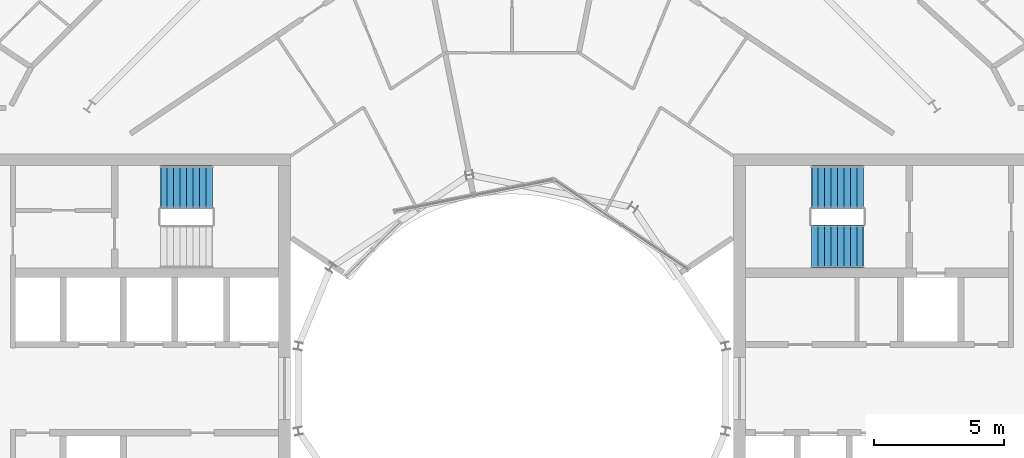
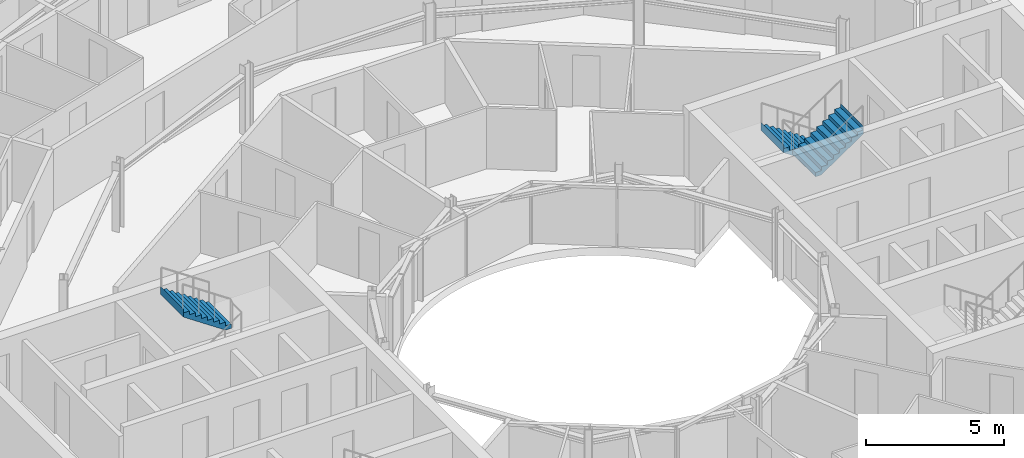
# One storey, part 26 of 27: 3 stair flights, 2 elements without a shape of their own.
"""IFC4 building model written with IfcOpenShell, lengths in metres."""

from ifc_helpers import new_model, si_unit, direction, frame, origin, place, context, subcontext, project, spatial, triangles, material, type_object, element, aggregate, save


model = new_model("IFC4")

# Units and contexts
model_context = context("Model", 3, precision=1e-05, world=origin(), true_north=direction((0.0, 1.0)))
body_context = subcontext(model_context, "Body", "Model", "MODEL_VIEW")
ifc_project = project(units=[si_unit("LENGTHUNIT", "METRE"), si_unit("AREAUNIT", "SQUARE_METRE"), si_unit("VOLUMEUNIT", "CUBIC_METRE"), si_unit("PLANEANGLEUNIT", "RADIAN"), si_unit("MASSUNIT", "GRAM", prefix="KILO")], contexts=[model_context])

# Site, building, storey
site_placement = place(None, origin())
site = spatial("IfcSite", under=ifc_project, at=site_placement, CompositionType="ELEMENT")
building_placement = place(site_placement, origin())
building = spatial("IfcBuilding", under=site, at=building_placement, Name="Maasbend Ring Residences", CompositionType="ELEMENT")
storey_placement = place(building_placement, frame((0.0, 0.0, 199.35009765625)))
storey = spatial("IfcBuildingStorey", under=building, at=storey_placement, Name="L57", CompositionType="ELEMENT", Elevation=199.35009765625)

# Stair, stair flights
ifc_material_1 = material(Name="Concrete C40/50", Category="concrete")
stair_type = type_object("IfcStairType", Name="CORE STAIR 18 RISERS", PredefinedType="HALF_TURN_STAIR", material=ifc_material_1)
stair_1_placement = place(storey_placement, origin())
stair_1 = element("IfcStair", 1, at=stair_1_placement, inside=storey, type_object=stair_type, Name="L57 Exit stair ST-E1", PredefinedType="HALF_TURN_STAIR")
ifc_material_2 = material(Name="Concrete C40/50", Category="concrete")
stair_flight_type = type_object("IfcStairFlightType", Name="CORE STAIR FLIGHT 1650", PredefinedType="STRAIGHT", material=ifc_material_2)
stair_flight_1_placement = place(storey_placement, frame((13.550048828125, 7.77490234375, 0.0), z_axis=(0.0, 0.0, 1.0), x_axis=(-1.0, 0.0, 0.0)))
stair_flight_1 = element("IfcStairFlight", 2, at=stair_flight_1_placement, type_object=stair_flight_type, Name="ST-E1 flight 1", NumberOfRisers=9, NumberOfTreads=8, PredefinedType="STRAIGHT", RiserHeight=0.169444444, TreadLength=0.25, context=body_context, shape_type="Tessellation", body=[
    triangles([(0.24072265625, 0.824951171875, -0.02001953125), (2.0029296875, 0.824951171875, 1.174560546875), (2.0029296875, 0.824951171875, 1.52490234375), (1.989990234375, 0.824951171875, 1.35546875), (1.75, 0.824951171875, 1.35546875), (1.75, 0.824951171875, 1.18603515625), (1.5, 0.824951171875, 1.18603515625), (1.5, 0.824951171875, 1.0166015625), (1.25, 0.824951171875, 1.0166015625), (1.25, 0.824951171875, 0.84716796875), (1.0, 0.824951171875, 0.84716796875), (1.0, 0.824951171875, 0.677734375), (0.75, 0.824951171875, 0.677734375), (0.75, 0.824951171875, 0.50830078125), (0.5, 0.824951171875, 0.50830078125), (0.5, 0.824951171875, 0.3388671875), (0.25, 0.824951171875, 0.3388671875), (0.25, 0.824951171875, 0.16943359375), (0.0, 0.824951171875, 0.16943359375), (0.0, 0.824951171875, 0.0), (-0.0029296875, 0.824951171875, 0.0), (-0.0029296875, 0.824951171875, -0.02001953125), (0.24072265625, 0.27490234375, -0.02001953125), (2.0029296875, 0.27490234375, 1.174560546875), (2.0029296875, 0.27490234375, 1.52490234375), (1.989990234375, 0.27490234375, 1.35546875), (1.75, 0.27490234375, 1.35546875), (1.75, 0.27490234375, 1.18603515625), (1.5, 0.27490234375, 1.18603515625), (1.5, 0.27490234375, 1.0166015625), (1.25, 0.27490234375, 1.0166015625), (1.25, 0.27490234375, 0.84716796875), (1.0, 0.27490234375, 0.84716796875), (1.0, 0.27490234375, 0.677734375), (0.75, 0.27490234375, 0.677734375), (0.75, 0.27490234375, 0.50830078125), (0.5, 0.27490234375, 0.50830078125), (0.5, 0.27490234375, 0.3388671875), (0.25, 0.27490234375, 0.3388671875), (0.25, 0.27490234375, 0.16943359375), (0.0, 0.27490234375, 0.16943359375), (0.0, 0.27490234375, 0.0), (-0.0029296875, 0.27490234375, 0.0), (-0.0029296875, 0.27490234375, -0.02001953125), (0.24072265625, -0.27490234375, -0.02001953125), (2.0029296875, -0.27490234375, 1.174560546875), (2.0029296875, -0.27490234375, 1.52490234375), (1.989990234375, -0.27490234375, 1.35546875), (1.75, -0.27490234375, 1.35546875), (1.75, -0.27490234375, 1.18603515625), (1.5, -0.27490234375, 1.18603515625), (1.5, -0.27490234375, 1.0166015625), (1.25, -0.27490234375, 1.0166015625), (1.25, -0.27490234375, 0.84716796875), (1.0, -0.27490234375, 0.84716796875), (1.0, -0.27490234375, 0.677734375), (0.75, -0.27490234375, 0.677734375), (0.75, -0.27490234375, 0.50830078125), (0.5, -0.27490234375, 0.50830078125), (0.5, -0.27490234375, 0.3388671875), (0.25, -0.27490234375, 0.3388671875), (0.25, -0.27490234375, 0.16943359375), (0.0, -0.27490234375, 0.16943359375), (0.0, -0.27490234375, 0.0), (-0.0029296875, -0.27490234375, 0.0), (-0.0029296875, -0.27490234375, -0.02001953125), (0.24072265625, -0.824951171875, -0.02001953125), (2.0029296875, -0.824951171875, 1.174560546875), (2.0029296875, -0.824951171875, 1.52490234375), (1.989990234375, -0.824951171875, 1.35546875), (1.75, -0.824951171875, 1.35546875), (1.75, -0.824951171875, 1.18603515625), (1.5, -0.824951171875, 1.18603515625), (1.5, -0.824951171875, 1.0166015625), (1.25, -0.824951171875, 1.0166015625), (1.25, -0.824951171875, 0.84716796875), (1.0, -0.824951171875, 0.84716796875), (1.0, -0.824951171875, 0.677734375), (0.75, -0.824951171875, 0.677734375), (0.75, -0.824951171875, 0.50830078125), (0.5, -0.824951171875, 0.50830078125), (0.5, -0.824951171875, 0.3388671875), (0.25, -0.824951171875, 0.3388671875), (0.25, -0.824951171875, 0.16943359375), (0.0, -0.824951171875, 0.16943359375), (0.0, -0.824951171875, 0.0), (-0.0029296875, -0.824951171875, 0.0), (-0.0029296875, -0.824951171875, -0.02001953125)], [[1, 2, 24], [1, 24, 23], [23, 24, 46], [23, 46, 45], [45, 46, 68], [45, 68, 67], [2, 3, 25], [2, 25, 24], [24, 25, 47], [24, 47, 46], [46, 47, 69], [46, 69, 68], [3, 4, 26], [3, 26, 25], [25, 26, 48], [25, 48, 47], [47, 48, 70], [47, 70, 69], [4, 5, 27], [4, 27, 26], [26, 27, 49], [26, 49, 48], [48, 49, 71], [48, 71, 70], [5, 6, 28], [5, 28, 27], [27, 28, 50], [27, 50, 49], [49, 50, 72], [49, 72, 71], [6, 7, 29], [6, 29, 28], [28, 29, 51], [28, 51, 50], [50, 51, 73], [50, 73, 72], [7, 8, 30], [7, 30, 29], [29, 30, 52], [29, 52, 51], [51, 52, 74], [51, 74, 73], [8, 9, 31], [8, 31, 30], [30, 31, 53], [30, 53, 52], [52, 53, 75], [52, 75, 74], [9, 10, 32], [9, 32, 31], [31, 32, 54], [31, 54, 53], [53, 54, 76], [53, 76, 75], [10, 11, 33], [10, 33, 32], [32, 33, 55], [32, 55, 54], [54, 55, 77], [54, 77, 76], [11, 12, 34], [11, 34, 33], [33, 34, 56], [33, 56, 55], [55, 56, 78], [55, 78, 77], [12, 13, 35], [12, 35, 34], [34, 35, 57], [34, 57, 56], [56, 57, 79], [56, 79, 78], [13, 14, 36], [13, 36, 35], [35, 36, 58], [35, 58, 57], [57, 58, 80], [57, 80, 79], [14, 15, 37], [14, 37, 36], [36, 37, 59], [36, 59, 58], [58, 59, 81], [58, 81, 80], [15, 16, 38], [15, 38, 37], [37, 38, 60], [37, 60, 59], [59, 60, 82], [59, 82, 81], [16, 17, 39], [16, 39, 38], [38, 39, 61], [38, 61, 60], [60, 61, 83], [60, 83, 82], [17, 18, 40], [17, 40, 39], [39, 40, 62], [39, 62, 61], [61, 62, 84], [61, 84, 83], [18, 19, 41], [18, 41, 40], [40, 41, 63], [40, 63, 62], [62, 63, 85], [62, 85, 84], [19, 20, 42], [19, 42, 41], [41, 42, 64], [41, 64, 63], [63, 64, 86], [63, 86, 85], [20, 21, 43], [20, 43, 42], [42, 43, 65], [42, 65, 64], [64, 65, 87], [64, 87, 86], [21, 22, 44], [21, 44, 43], [43, 44, 66], [43, 66, 65], [65, 66, 88], [65, 88, 87], [22, 1, 23], [22, 23, 44], [44, 23, 45], [44, 45, 66], [66, 45, 67], [66, 67, 88], [22, 2, 1], [2, 4, 3], [2, 5, 4], [2, 6, 5], [22, 6, 2], [6, 8, 7], [22, 8, 6], [8, 10, 9], [22, 10, 8], [10, 12, 11], [22, 12, 10], [12, 14, 13], [22, 14, 12], [14, 16, 15], [22, 16, 14], [16, 18, 17], [22, 18, 16], [18, 20, 19], [22, 20, 18], [20, 22, 21], [88, 67, 68], [68, 69, 70], [68, 70, 71], [68, 71, 72], [88, 68, 72], [72, 73, 74], [88, 72, 74], [74, 75, 76], [88, 74, 76], [76, 77, 78], [88, 76, 78], [78, 79, 80], [88, 78, 80], [80, 81, 82], [88, 80, 82], [82, 83, 84], [88, 82, 84], [84, 85, 86], [88, 84, 86], [86, 87, 88]], closed=True),
])
stair_flight_2_placement = place(storey_placement, frame((11.550048828125, 5.47509765625, 1.52490234375), z_axis=(0.0, 0.0, 1.0), x_axis=(1.0, 0.0, 0.0)))
stair_flight_2 = element("IfcStairFlight", 3, at=stair_flight_2_placement, type_object=stair_flight_type, Name="ST-E1 flight 2", NumberOfRisers=9, NumberOfTreads=8, PredefinedType="STRAIGHT", RiserHeight=0.169444444, TreadLength=0.25, context=body_context, shape_type="Tessellation", body=[
    triangles([(0.24072265625, 0.824951171875, -0.02001953125), (2.0029296875, 0.824951171875, 1.174560546875), (2.0029296875, 0.824951171875, 1.52490234375), (1.989990234375, 0.824951171875, 1.35546875), (1.75, 0.824951171875, 1.35546875), (1.75, 0.824951171875, 1.18603515625), (1.5, 0.824951171875, 1.18603515625), (1.5, 0.824951171875, 1.0166015625), (1.25, 0.824951171875, 1.0166015625), (1.25, 0.824951171875, 0.84716796875), (1.0, 0.824951171875, 0.84716796875), (1.0, 0.824951171875, 0.677734375), (0.75, 0.824951171875, 0.677734375), (0.75, 0.824951171875, 0.50830078125), (0.5, 0.824951171875, 0.50830078125), (0.5, 0.824951171875, 0.3388671875), (0.25, 0.824951171875, 0.3388671875), (0.25, 0.824951171875, 0.16943359375), (0.0, 0.824951171875, 0.16943359375), (0.0, 0.824951171875, 0.0), (-0.0029296875, 0.824951171875, 0.0), (-0.0029296875, 0.824951171875, -0.02001953125), (0.24072265625, 0.27490234375, -0.02001953125), (2.0029296875, 0.27490234375, 1.174560546875), (2.0029296875, 0.27490234375, 1.52490234375), (1.989990234375, 0.27490234375, 1.35546875), (1.75, 0.27490234375, 1.35546875), (1.75, 0.27490234375, 1.18603515625), (1.5, 0.27490234375, 1.18603515625), (1.5, 0.27490234375, 1.0166015625), (1.25, 0.27490234375, 1.0166015625), (1.25, 0.27490234375, 0.84716796875), (1.0, 0.27490234375, 0.84716796875), (1.0, 0.27490234375, 0.677734375), (0.75, 0.27490234375, 0.677734375), (0.75, 0.27490234375, 0.50830078125), (0.5, 0.27490234375, 0.50830078125), (0.5, 0.27490234375, 0.3388671875), (0.25, 0.27490234375, 0.3388671875), (0.25, 0.27490234375, 0.16943359375), (0.0, 0.27490234375, 0.16943359375), (0.0, 0.27490234375, 0.0), (-0.0029296875, 0.27490234375, 0.0), (-0.0029296875, 0.27490234375, -0.02001953125), (0.24072265625, -0.27490234375, -0.02001953125), (2.0029296875, -0.27490234375, 1.174560546875), (2.0029296875, -0.27490234375, 1.52490234375), (1.989990234375, -0.27490234375, 1.35546875), (1.75, -0.27490234375, 1.35546875), (1.75, -0.27490234375, 1.18603515625), (1.5, -0.27490234375, 1.18603515625), (1.5, -0.27490234375, 1.0166015625), (1.25, -0.27490234375, 1.0166015625), (1.25, -0.27490234375, 0.84716796875), (1.0, -0.27490234375, 0.84716796875), (1.0, -0.27490234375, 0.677734375), (0.75, -0.27490234375, 0.677734375), (0.75, -0.27490234375, 0.50830078125), (0.5, -0.27490234375, 0.50830078125), (0.5, -0.27490234375, 0.3388671875), (0.25, -0.27490234375, 0.3388671875), (0.25, -0.27490234375, 0.16943359375), (0.0, -0.27490234375, 0.16943359375), (0.0, -0.27490234375, 0.0), (-0.0029296875, -0.27490234375, 0.0), (-0.0029296875, -0.27490234375, -0.02001953125), (0.24072265625, -0.824951171875, -0.02001953125), (2.0029296875, -0.824951171875, 1.174560546875), (2.0029296875, -0.824951171875, 1.52490234375), (1.989990234375, -0.824951171875, 1.35546875), (1.75, -0.824951171875, 1.35546875), (1.75, -0.824951171875, 1.18603515625), (1.5, -0.824951171875, 1.18603515625), (1.5, -0.824951171875, 1.0166015625), (1.25, -0.824951171875, 1.0166015625), (1.25, -0.824951171875, 0.84716796875), (1.0, -0.824951171875, 0.84716796875), (1.0, -0.824951171875, 0.677734375), (0.75, -0.824951171875, 0.677734375), (0.75, -0.824951171875, 0.50830078125), (0.5, -0.824951171875, 0.50830078125), (0.5, -0.824951171875, 0.3388671875), (0.25, -0.824951171875, 0.3388671875), (0.25, -0.824951171875, 0.16943359375), (0.0, -0.824951171875, 0.16943359375), (0.0, -0.824951171875, 0.0), (-0.0029296875, -0.824951171875, 0.0), (-0.0029296875, -0.824951171875, -0.02001953125)], [[1, 2, 24], [1, 24, 23], [23, 24, 46], [23, 46, 45], [45, 46, 68], [45, 68, 67], [2, 3, 25], [2, 25, 24], [24, 25, 47], [24, 47, 46], [46, 47, 69], [46, 69, 68], [3, 4, 26], [3, 26, 25], [25, 26, 48], [25, 48, 47], [47, 48, 70], [47, 70, 69], [4, 5, 27], [4, 27, 26], [26, 27, 49], [26, 49, 48], [48, 49, 71], [48, 71, 70], [5, 6, 28], [5, 28, 27], [27, 28, 50], [27, 50, 49], [49, 50, 72], [49, 72, 71], [6, 7, 29], [6, 29, 28], [28, 29, 51], [28, 51, 50], [50, 51, 73], [50, 73, 72], [7, 8, 30], [7, 30, 29], [29, 30, 52], [29, 52, 51], [51, 52, 74], [51, 74, 73], [8, 9, 31], [8, 31, 30], [30, 31, 53], [30, 53, 52], [52, 53, 75], [52, 75, 74], [9, 10, 32], [9, 32, 31], [31, 32, 54], [31, 54, 53], [53, 54, 76], [53, 76, 75], [10, 11, 33], [10, 33, 32], [32, 33, 55], [32, 55, 54], [54, 55, 77], [54, 77, 76], [11, 12, 34], [11, 34, 33], [33, 34, 56], [33, 56, 55], [55, 56, 78], [55, 78, 77], [12, 13, 35], [12, 35, 34], [34, 35, 57], [34, 57, 56], [56, 57, 79], [56, 79, 78], [13, 14, 36], [13, 36, 35], [35, 36, 58], [35, 58, 57], [57, 58, 80], [57, 80, 79], [14, 15, 37], [14, 37, 36], [36, 37, 59], [36, 59, 58], [58, 59, 81], [58, 81, 80], [15, 16, 38], [15, 38, 37], [37, 38, 60], [37, 60, 59], [59, 60, 82], [59, 82, 81], [16, 17, 39], [16, 39, 38], [38, 39, 61], [38, 61, 60], [60, 61, 83], [60, 83, 82], [17, 18, 40], [17, 40, 39], [39, 40, 62], [39, 62, 61], [61, 62, 84], [61, 84, 83], [18, 19, 41], [18, 41, 40], [40, 41, 63], [40, 63, 62], [62, 63, 85], [62, 85, 84], [19, 20, 42], [19, 42, 41], [41, 42, 64], [41, 64, 63], [63, 64, 86], [63, 86, 85], [20, 21, 43], [20, 43, 42], [42, 43, 65], [42, 65, 64], [64, 65, 87], [64, 87, 86], [21, 22, 44], [21, 44, 43], [43, 44, 66], [43, 66, 65], [65, 66, 88], [65, 88, 87], [22, 1, 23], [22, 23, 44], [44, 23, 45], [44, 45, 66], [66, 45, 67], [66, 67, 88], [22, 2, 1], [2, 4, 3], [2, 5, 4], [2, 6, 5], [22, 6, 2], [6, 8, 7], [22, 8, 6], [8, 10, 9], [22, 10, 8], [10, 12, 11], [22, 12, 10], [12, 14, 13], [22, 14, 12], [14, 16, 15], [22, 16, 14], [16, 18, 17], [22, 18, 16], [18, 20, 19], [22, 20, 18], [20, 22, 21], [88, 67, 68], [68, 69, 70], [68, 70, 71], [68, 71, 72], [88, 68, 72], [72, 73, 74], [88, 72, 74], [74, 75, 76], [88, 74, 76], [76, 77, 78], [88, 76, 78], [78, 79, 80], [88, 78, 80], [80, 81, 82], [88, 80, 82], [82, 83, 84], [88, 82, 84], [84, 85, 86], [88, 84, 86], [86, 87, 88]], closed=True),
])
aggregate(stair_1, [stair_flight_1, stair_flight_2])

# Stair, stair flight
stair_2_placement = place(storey_placement, origin())
stair_2 = element("IfcStair", 4, at=stair_2_placement, inside=storey, type_object=stair_type, Name="L57 Exit stair ST-W2", PredefinedType="HALF_TURN_STAIR")
stair_flight_3_placement = place(storey_placement, frame((-11.550048828125, 7.77490234375, 1.52490234375), z_axis=(0.0, 0.0, 1.0), x_axis=(-1.0, 0.0, 0.0)))
stair_flight_3 = element("IfcStairFlight", 5, at=stair_flight_3_placement, type_object=stair_flight_type, Name="ST-W2 flight 2", NumberOfRisers=9, NumberOfTreads=8, PredefinedType="STRAIGHT", RiserHeight=0.169444444, TreadLength=0.25, context=body_context, shape_type="Tessellation", body=[
    triangles([(0.24072265625, 0.824951171875, -0.02001953125), (2.0029296875, 0.824951171875, 1.174560546875), (2.0029296875, 0.824951171875, 1.52490234375), (1.989990234375, 0.824951171875, 1.35546875), (1.75, 0.824951171875, 1.35546875), (1.75, 0.824951171875, 1.18603515625), (1.5, 0.824951171875, 1.18603515625), (1.5, 0.824951171875, 1.0166015625), (1.25, 0.824951171875, 1.0166015625), (1.25, 0.824951171875, 0.84716796875), (1.0, 0.824951171875, 0.84716796875), (1.0, 0.824951171875, 0.677734375), (0.75, 0.824951171875, 0.677734375), (0.75, 0.824951171875, 0.50830078125), (0.5, 0.824951171875, 0.50830078125), (0.5, 0.824951171875, 0.3388671875), (0.25, 0.824951171875, 0.3388671875), (0.25, 0.824951171875, 0.16943359375), (0.0, 0.824951171875, 0.16943359375), (0.0, 0.824951171875, 0.0), (-0.0029296875, 0.824951171875, 0.0), (-0.0029296875, 0.824951171875, -0.02001953125), (0.24072265625, 0.27490234375, -0.02001953125), (2.0029296875, 0.27490234375, 1.174560546875), (2.0029296875, 0.27490234375, 1.52490234375), (1.989990234375, 0.27490234375, 1.35546875), (1.75, 0.27490234375, 1.35546875), (1.75, 0.27490234375, 1.18603515625), (1.5, 0.27490234375, 1.18603515625), (1.5, 0.27490234375, 1.0166015625), (1.25, 0.27490234375, 1.0166015625), (1.25, 0.27490234375, 0.84716796875), (1.0, 0.27490234375, 0.84716796875), (1.0, 0.27490234375, 0.677734375), (0.75, 0.27490234375, 0.677734375), (0.75, 0.27490234375, 0.50830078125), (0.5, 0.27490234375, 0.50830078125), (0.5, 0.27490234375, 0.3388671875), (0.25, 0.27490234375, 0.3388671875), (0.25, 0.27490234375, 0.16943359375), (0.0, 0.27490234375, 0.16943359375), (0.0, 0.27490234375, 0.0), (-0.0029296875, 0.27490234375, 0.0), (-0.0029296875, 0.27490234375, -0.02001953125), (0.24072265625, -0.27490234375, -0.02001953125), (2.0029296875, -0.27490234375, 1.174560546875), (2.0029296875, -0.27490234375, 1.52490234375), (1.989990234375, -0.27490234375, 1.35546875), (1.75, -0.27490234375, 1.35546875), (1.75, -0.27490234375, 1.18603515625), (1.5, -0.27490234375, 1.18603515625), (1.5, -0.27490234375, 1.0166015625), (1.25, -0.27490234375, 1.0166015625), (1.25, -0.27490234375, 0.84716796875), (1.0, -0.27490234375, 0.84716796875), (1.0, -0.27490234375, 0.677734375), (0.75, -0.27490234375, 0.677734375), (0.75, -0.27490234375, 0.50830078125), (0.5, -0.27490234375, 0.50830078125), (0.5, -0.27490234375, 0.3388671875), (0.25, -0.27490234375, 0.3388671875), (0.25, -0.27490234375, 0.16943359375), (0.0, -0.27490234375, 0.16943359375), (0.0, -0.27490234375, 0.0), (-0.0029296875, -0.27490234375, 0.0), (-0.0029296875, -0.27490234375, -0.02001953125), (0.24072265625, -0.824951171875, -0.02001953125), (2.0029296875, -0.824951171875, 1.174560546875), (2.0029296875, -0.824951171875, 1.52490234375), (1.989990234375, -0.824951171875, 1.35546875), (1.75, -0.824951171875, 1.35546875), (1.75, -0.824951171875, 1.18603515625), (1.5, -0.824951171875, 1.18603515625), (1.5, -0.824951171875, 1.0166015625), (1.25, -0.824951171875, 1.0166015625), (1.25, -0.824951171875, 0.84716796875), (1.0, -0.824951171875, 0.84716796875), (1.0, -0.824951171875, 0.677734375), (0.75, -0.824951171875, 0.677734375), (0.75, -0.824951171875, 0.50830078125), (0.5, -0.824951171875, 0.50830078125), (0.5, -0.824951171875, 0.3388671875), (0.25, -0.824951171875, 0.3388671875), (0.25, -0.824951171875, 0.16943359375), (0.0, -0.824951171875, 0.16943359375), (0.0, -0.824951171875, 0.0), (-0.0029296875, -0.824951171875, 0.0), (-0.0029296875, -0.824951171875, -0.02001953125)], [[1, 2, 24], [1, 24, 23], [23, 24, 46], [23, 46, 45], [45, 46, 68], [45, 68, 67], [2, 3, 25], [2, 25, 24], [24, 25, 47], [24, 47, 46], [46, 47, 69], [46, 69, 68], [3, 4, 26], [3, 26, 25], [25, 26, 48], [25, 48, 47], [47, 48, 70], [47, 70, 69], [4, 5, 27], [4, 27, 26], [26, 27, 49], [26, 49, 48], [48, 49, 71], [48, 71, 70], [5, 6, 28], [5, 28, 27], [27, 28, 50], [27, 50, 49], [49, 50, 72], [49, 72, 71], [6, 7, 29], [6, 29, 28], [28, 29, 51], [28, 51, 50], [50, 51, 73], [50, 73, 72], [7, 8, 30], [7, 30, 29], [29, 30, 52], [29, 52, 51], [51, 52, 74], [51, 74, 73], [8, 9, 31], [8, 31, 30], [30, 31, 53], [30, 53, 52], [52, 53, 75], [52, 75, 74], [9, 10, 32], [9, 32, 31], [31, 32, 54], [31, 54, 53], [53, 54, 76], [53, 76, 75], [10, 11, 33], [10, 33, 32], [32, 33, 55], [32, 55, 54], [54, 55, 77], [54, 77, 76], [11, 12, 34], [11, 34, 33], [33, 34, 56], [33, 56, 55], [55, 56, 78], [55, 78, 77], [12, 13, 35], [12, 35, 34], [34, 35, 57], [34, 57, 56], [56, 57, 79], [56, 79, 78], [13, 14, 36], [13, 36, 35], [35, 36, 58], [35, 58, 57], [57, 58, 80], [57, 80, 79], [14, 15, 37], [14, 37, 36], [36, 37, 59], [36, 59, 58], [58, 59, 81], [58, 81, 80], [15, 16, 38], [15, 38, 37], [37, 38, 60], [37, 60, 59], [59, 60, 82], [59, 82, 81], [16, 17, 39], [16, 39, 38], [38, 39, 61], [38, 61, 60], [60, 61, 83], [60, 83, 82], [17, 18, 40], [17, 40, 39], [39, 40, 62], [39, 62, 61], [61, 62, 84], [61, 84, 83], [18, 19, 41], [18, 41, 40], [40, 41, 63], [40, 63, 62], [62, 63, 85], [62, 85, 84], [19, 20, 42], [19, 42, 41], [41, 42, 64], [41, 64, 63], [63, 64, 86], [63, 86, 85], [20, 21, 43], [20, 43, 42], [42, 43, 65], [42, 65, 64], [64, 65, 87], [64, 87, 86], [21, 22, 44], [21, 44, 43], [43, 44, 66], [43, 66, 65], [65, 66, 88], [65, 88, 87], [22, 1, 23], [22, 23, 44], [44, 23, 45], [44, 45, 66], [66, 45, 67], [66, 67, 88], [22, 2, 1], [2, 4, 3], [2, 5, 4], [2, 6, 5], [22, 6, 2], [6, 8, 7], [22, 8, 6], [8, 10, 9], [22, 10, 8], [10, 12, 11], [22, 12, 10], [12, 14, 13], [22, 14, 12], [14, 16, 15], [22, 16, 14], [16, 18, 17], [22, 18, 16], [18, 20, 19], [22, 20, 18], [20, 22, 21], [88, 67, 68], [68, 69, 70], [68, 70, 71], [68, 71, 72], [88, 68, 72], [72, 73, 74], [88, 72, 74], [74, 75, 76], [88, 74, 76], [76, 77, 78], [88, 76, 78], [78, 79, 80], [88, 78, 80], [80, 81, 82], [88, 80, 82], [82, 83, 84], [88, 82, 84], [84, 85, 86], [88, 84, 86], [86, 87, 88]], closed=True),
])
aggregate(stair_2, [stair_flight_3])

save(model, "model.ifc")
